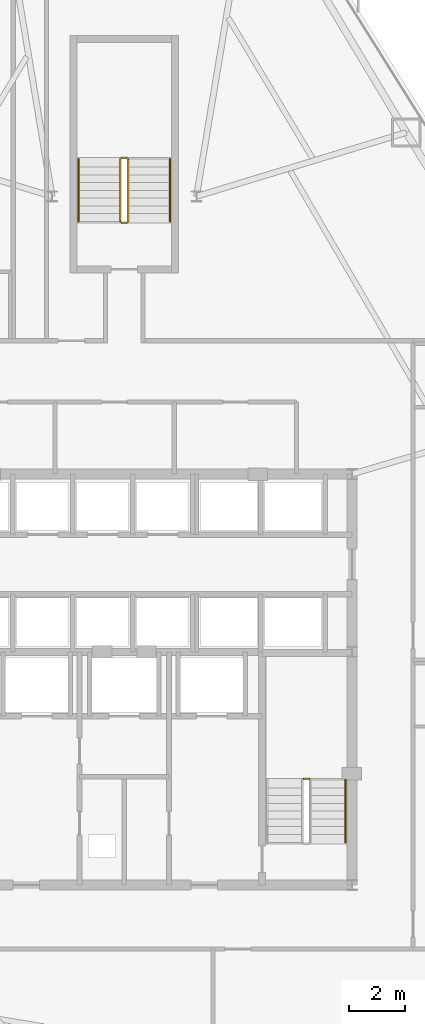
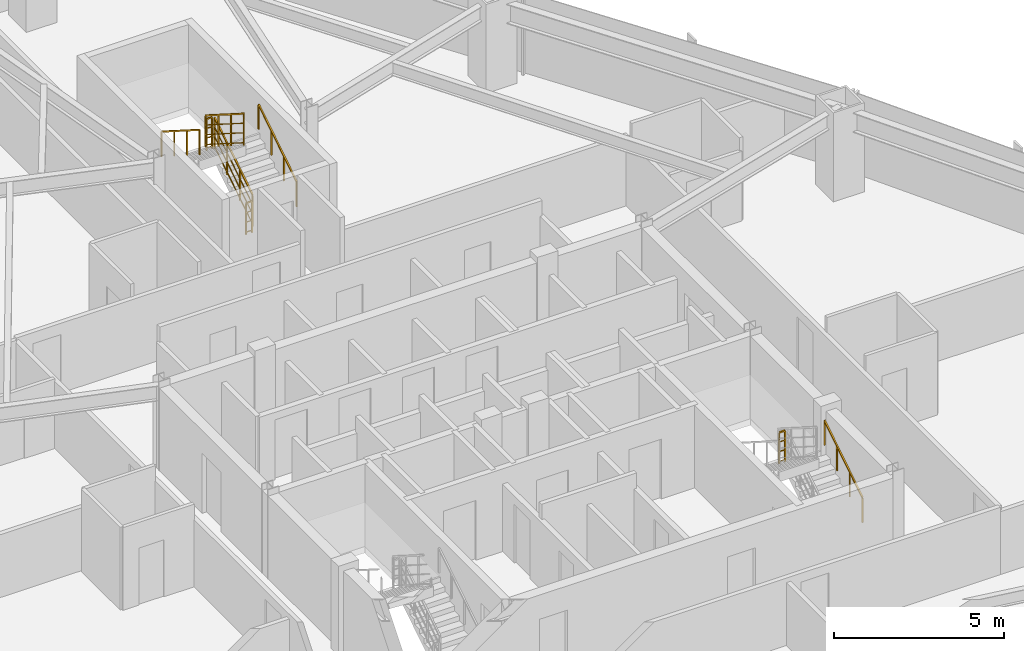
# One storey, part 13 of 13: 8 railings.
"""IFC4 building model written with IfcOpenShell, lengths in metres."""

from ifc_helpers import new_model, si_unit, direction, frame, origin, origin_2d, place, context, subcontext, project, spatial, rectangle, extrude, material, type_object, element, save


model = new_model("IFC4")

# Units and contexts
model_context = context("Model", 3, precision=1e-05, world=origin(), true_north=direction((0.0, 1.0)))
body_context = subcontext(model_context, "Body", "Model", "MODEL_VIEW")
ifc_project = project(units=[si_unit("LENGTHUNIT", "METRE"), si_unit("AREAUNIT", "SQUARE_METRE"), si_unit("VOLUMEUNIT", "CUBIC_METRE"), si_unit("PLANEANGLEUNIT", "RADIAN"), si_unit("MASSUNIT", "GRAM", prefix="KILO")], contexts=[model_context])

# Site, building, storey
site_placement = place(None, origin())
site = spatial("IfcSite", under=ifc_project, at=site_placement, CompositionType="ELEMENT")
building_placement = place(site_placement, origin())
building = spatial("IfcBuilding", under=site, at=building_placement, Name="Varakhsha Concourse Tower", CompositionType="ELEMENT")
storey_placement = place(building_placement, frame((0.0, 0.0, 92.60009765625)))
storey = spatial("IfcBuildingStorey", under=building, at=storey_placement, Name="L26", CompositionType="ELEMENT", Elevation=92.60009765625)

# Railings
ifc_material = material(Name="Brushed Austenitic Stainless Steel AISI 316", Category="steel")
railing_type_1 = type_object("IfcRailingType", Name="RL-STAIR-GUARD-1100", PredefinedType="GUARDRAIL", material=ifc_material)
railing_1_placement = place(storey_placement, frame((46.659912109375, 20.22998046875, 1.599853515625)))
element("IfcRailing", 1, at=railing_1_placement, inside=storey, type_object=railing_type_1, Name="L26 ST2 stair guard 2", PredefinedType="GUARDRAIL", context=body_context, shape_type="SweptSolid", body=[
    extrude(rectangle(XDim=0.048095703125, YDim=0.048095703125, at=origin_2d()), frame((0.0, 0.0, 1.1259765625), z_axis=(-1.0, 0.0, 0.0), x_axis=(0.0, -1.0, 0.0)), (0.0, 0.0, 1.0), 0.199951171875),
    extrude(rectangle(XDim=0.028076171875, YDim=0.028076171875, at=origin_2d()), frame((0.0, 0.0, 0.080078125), z_axis=(-1.0, 0.0, 0.0), x_axis=(0.0, -1.0, 0.0)), (0.0, 0.0, 1.0), 0.199951171875),
    extrude(rectangle(XDim=0.028076171875, YDim=0.028076171875, at=origin_2d()), frame((0.0, 0.0, 0.43701171875), z_axis=(-1.0, 0.0, 0.0), x_axis=(0.0, -1.0, 0.0)), (0.0, 0.0, 1.0), 0.199951171875),
    extrude(rectangle(XDim=0.028076171875, YDim=0.028076171875, at=origin_2d()), frame((0.0, 0.0, 0.781982421875), z_axis=(-1.0, 0.0, 0.0), x_axis=(0.0, -1.0, 0.0)), (0.0, 0.0, 1.0), 0.199951171875),
    extrude(rectangle(XDim=0.0419921875, YDim=0.0419921875, at=origin_2d()), origin(), (0.0, 0.0, 1.0), 1.101806640625),
    extrude(rectangle(XDim=0.0419921875, YDim=0.0419921875, at=origin_2d()), frame((-0.199951171875, 0.0, 0.0)), (0.0, 0.0, 1.0), 1.101806640625),
])
railing_2_placement = place(storey_placement, frame((40.14990234375, 40.300048828125, 0.177734375)))
element("IfcRailing", 2, at=railing_2_placement, inside=storey, type_object=railing_type_1, Name="L26 ST5 stair guard 1", PredefinedType="GUARDRAIL", context=body_context, shape_type="SweptSolid", body=[
    extrude(rectangle(XDim=0.048095703125, YDim=0.048095703125, at=origin_2d()), frame((0.0, 0.0, 1.1259765625), z_axis=(0.0, 0.8442293374, 0.53598211339), x_axis=(-1.0, 0.0, 0.0)), (0.0, 0.0, 1.0), 2.6533203125),
    extrude(rectangle(XDim=0.028076171875, YDim=0.028076171875, at=origin_2d()), frame((0.0, 0.0, 0.080078125), z_axis=(0.0, 0.8442293374, 0.53598211339), x_axis=(-1.0, 0.0, 0.0)), (0.0, 0.0, 1.0), 2.6533203125),
    extrude(rectangle(XDim=0.028076171875, YDim=0.028076171875, at=origin_2d()), frame((0.0, 0.0, 0.43701171875), z_axis=(0.0, 0.8442293374, 0.53598211339), x_axis=(-1.0, 0.0, 0.0)), (0.0, 0.0, 1.0), 2.6533203125),
    extrude(rectangle(XDim=0.028076171875, YDim=0.028076171875, at=origin_2d()), frame((0.0, 0.0, 0.781982421875), z_axis=(0.0, 0.8442293374, 0.53598211339), x_axis=(-1.0, 0.0, 0.0)), (0.0, 0.0, 1.0), 2.6533203125),
    extrude(rectangle(XDim=0.0419921875, YDim=0.0419921875, at=origin_2d()), origin(), (0.0, 0.0, 1.0), 1.101806640625),
    extrude(rectangle(XDim=0.0419921875, YDim=0.0419921875, at=origin_2d()), frame((0.0, 0.74658203125, 0.47412109375)), (0.0, 0.0, 1.0), 1.101806640625),
    extrude(rectangle(XDim=0.0419921875, YDim=0.0419921875, at=origin_2d()), frame((0.0, 1.493408203125, 0.947998046875)), (0.0, 0.0, 1.0), 1.101806640625),
    extrude(rectangle(XDim=0.0419921875, YDim=0.0419921875, at=origin_2d()), frame((0.0, 2.239990234375, 1.422119140625)), (0.0, 0.0, 1.0), 1.101806640625),
])
railing_3_placement = place(storey_placement, frame((40.10009765625, 42.590087890625, 1.599853515625)))
element("IfcRailing", 3, at=railing_3_placement, inside=storey, type_object=railing_type_1, Name="L26 ST5 stair guard 2", PredefinedType="GUARDRAIL", context=body_context, shape_type="SweptSolid", body=[
    extrude(rectangle(XDim=0.048095703125, YDim=0.048095703125, at=origin_2d()), frame((0.0, 0.0, 1.1259765625), z_axis=(-1.0, 0.0, 0.0), x_axis=(0.0, -1.0, 0.0)), (0.0, 0.0, 1.0), 0.2001953125),
    extrude(rectangle(XDim=0.028076171875, YDim=0.028076171875, at=origin_2d()), frame((0.0, 0.0, 0.080078125), z_axis=(-1.0, 0.0, 0.0), x_axis=(0.0, -1.0, 0.0)), (0.0, 0.0, 1.0), 0.2001953125),
    extrude(rectangle(XDim=0.028076171875, YDim=0.028076171875, at=origin_2d()), frame((0.0, 0.0, 0.43701171875), z_axis=(-1.0, 0.0, 0.0), x_axis=(0.0, -1.0, 0.0)), (0.0, 0.0, 1.0), 0.2001953125),
    extrude(rectangle(XDim=0.028076171875, YDim=0.028076171875, at=origin_2d()), frame((0.0, 0.0, 0.781982421875), z_axis=(-1.0, 0.0, 0.0), x_axis=(0.0, -1.0, 0.0)), (0.0, 0.0, 1.0), 0.2001953125),
    extrude(rectangle(XDim=0.0419921875, YDim=0.0419921875, at=origin_2d()), origin(), (0.0, 0.0, 1.0), 1.101806640625),
    extrude(rectangle(XDim=0.0419921875, YDim=0.0419921875, at=origin_2d()), frame((-0.2001953125, 0.0, 0.0)), (0.0, 0.0, 1.0), 1.101806640625),
])
railing_4_placement = place(storey_placement, frame((39.85009765625, 42.5400390625, 1.777587890625)))
element("IfcRailing", 4, at=railing_4_placement, inside=storey, type_object=railing_type_1, Name="L26 ST5 stair guard 3", PredefinedType="GUARDRAIL", context=body_context, shape_type="SweptSolid", body=[
    extrude(rectangle(XDim=0.048095703125, YDim=0.048095703125, at=origin_2d()), frame((0.0, 0.0, 1.1259765625), z_axis=(0.0, -0.84418770128, 0.536047689118), x_axis=(1.0, 0.0, 0.0)), (0.0, 0.0, 1.0), 2.6533203125),
    extrude(rectangle(XDim=0.028076171875, YDim=0.028076171875, at=origin_2d()), frame((0.0, 0.0, 0.080078125), z_axis=(0.0, -0.84418770128, 0.536047689118), x_axis=(1.0, 0.0, 0.0)), (0.0, 0.0, 1.0), 2.6533203125),
    extrude(rectangle(XDim=0.028076171875, YDim=0.028076171875, at=origin_2d()), frame((0.0, 0.0, 0.43701171875), z_axis=(0.0, -0.84418770128, 0.536047689118), x_axis=(1.0, 0.0, 0.0)), (0.0, 0.0, 1.0), 2.6533203125),
    extrude(rectangle(XDim=0.028076171875, YDim=0.028076171875, at=origin_2d()), frame((0.0, 0.0, 0.781982421875), z_axis=(0.0, -0.84418770128, 0.536047689118), x_axis=(1.0, 0.0, 0.0)), (0.0, 0.0, 1.0), 2.6533203125),
    extrude(rectangle(XDim=0.0419921875, YDim=0.0419921875, at=origin_2d()), origin(), (0.0, 0.0, 1.0), 1.101806640625),
    extrude(rectangle(XDim=0.0419921875, YDim=0.0419921875, at=origin_2d()), frame((0.0, -0.74658203125, 0.47412109375)), (0.0, 0.0, 1.0), 1.101806640625),
    extrude(rectangle(XDim=0.0419921875, YDim=0.0419921875, at=origin_2d()), frame((0.0, -1.493408203125, 0.9482421875)), (0.0, 0.0, 1.0), 1.101806640625),
    extrude(rectangle(XDim=0.0419921875, YDim=0.0419921875, at=origin_2d()), frame((0.0, -2.239990234375, 1.42236328125)), (0.0, 0.0, 1.0), 1.101806640625),
])
railing_5_placement = place(storey_placement, frame((40.10009765625, 40.25, 0.0)))
element("IfcRailing", 5, at=railing_5_placement, inside=storey, type_object=railing_type_1, Name="L26 ST5 stair guard 4", PredefinedType="GUARDRAIL", context=body_context, shape_type="SweptSolid", body=[
    extrude(rectangle(XDim=0.048095703125, YDim=0.048095703125, at=origin_2d()), frame((0.0, 0.0, 1.1259765625), z_axis=(-1.0, 0.0, 0.0), x_axis=(0.0, -1.0, 0.0)), (0.0, 0.0, 1.0), 0.2001953125),
    extrude(rectangle(XDim=0.028076171875, YDim=0.028076171875, at=origin_2d()), frame((0.0, 0.0, 0.080078125), z_axis=(-1.0, 0.0, 0.0), x_axis=(0.0, -1.0, 0.0)), (0.0, 0.0, 1.0), 0.2001953125),
    extrude(rectangle(XDim=0.028076171875, YDim=0.028076171875, at=origin_2d()), frame((0.0, 0.0, 0.43701171875), z_axis=(-1.0, 0.0, 0.0), x_axis=(0.0, -1.0, 0.0)), (0.0, 0.0, 1.0), 0.2001953125),
    extrude(rectangle(XDim=0.028076171875, YDim=0.028076171875, at=origin_2d()), frame((0.0, 0.0, 0.781982421875), z_axis=(-1.0, 0.0, 0.0), x_axis=(0.0, -1.0, 0.0)), (0.0, 0.0, 1.0), 0.2001953125),
    extrude(rectangle(XDim=0.0419921875, YDim=0.0419921875, at=origin_2d()), origin(), (0.0, 0.0, 1.0), 1.101806640625),
    extrude(rectangle(XDim=0.0419921875, YDim=0.0419921875, at=origin_2d()), frame((-0.2001953125, 0.0, 0.0)), (0.0, 0.0, 1.0), 1.101806640625),
])
railing_type_2 = type_object("IfcRailingType", Name="RL-STAIR-RAIL-915", PredefinedType="HANDRAIL", material=ifc_material)
for number, where, name in (
    (6, (47.969970703125, 17.93994140625, 0.35546875), "L26 ST2 stair handrail 1"),
    (7, (41.64990234375, 40.300048828125, 0.35546875), "L26 ST5 stair handrail 1"),
):
    element("IfcRailing", number, at=place(storey_placement, frame(where)), inside=storey, type_object=railing_type_2, Name=name, PredefinedType="HANDRAIL", context=body_context, shape_type="SweptSolid", body=[
        extrude(rectangle(XDim=0.048095703125, YDim=0.048095703125, at=origin_2d()), frame((0.0, 0.0, 0.89111328125), z_axis=(0.0, 0.8442293374, 0.53598211339), x_axis=(-1.0, 0.0, 0.0)), (0.0, 0.0, 1.0), 2.6533203125),
        extrude(rectangle(XDim=0.0419921875, YDim=0.0419921875, at=origin_2d()), origin(), (0.0, 0.0, 1.0), 0.866943359375),
        extrude(rectangle(XDim=0.0419921875, YDim=0.0419921875, at=origin_2d()), frame((0.0, 0.74658203125, 0.47412109375)), (0.0, 0.0, 1.0), 0.866943359375),
        extrude(rectangle(XDim=0.0419921875, YDim=0.0419921875, at=origin_2d()), frame((0.0, 1.493408203125, 0.947998046875)), (0.0, 0.0, 1.0), 0.866943359375),
        extrude(rectangle(XDim=0.0419921875, YDim=0.0419921875, at=origin_2d()), frame((0.0, 2.239990234375, 1.422119140625)), (0.0, 0.0, 1.0), 0.866943359375),
    ])
railing_6_placement = place(storey_placement, frame((38.35009765625, 42.5400390625, 1.95556640625)))
element("IfcRailing", 8, at=railing_6_placement, inside=storey, type_object=railing_type_2, Name="L26 ST5 stair handrail 2", PredefinedType="HANDRAIL", context=body_context, shape_type="SweptSolid", body=[
    extrude(rectangle(XDim=0.048095703125, YDim=0.048095703125, at=origin_2d()), frame((0.0, 0.0, 0.89111328125), z_axis=(0.0, -0.8442293374, 0.53598211339), x_axis=(1.0, 0.0, 0.0)), (0.0, 0.0, 1.0), 2.6533203125),
    extrude(rectangle(XDim=0.0419921875, YDim=0.0419921875, at=origin_2d()), origin(), (0.0, 0.0, 1.0), 0.866943359375),
    extrude(rectangle(XDim=0.0419921875, YDim=0.0419921875, at=origin_2d()), frame((0.0, -0.74658203125, 0.47412109375)), (0.0, 0.0, 1.0), 0.866943359375),
    extrude(rectangle(XDim=0.0419921875, YDim=0.0419921875, at=origin_2d()), frame((0.0, -1.493408203125, 0.947998046875)), (0.0, 0.0, 1.0), 0.866943359375),
    extrude(rectangle(XDim=0.0419921875, YDim=0.0419921875, at=origin_2d()), frame((0.0, -2.239990234375, 1.422119140625)), (0.0, 0.0, 1.0), 0.866943359375),
])

save(model, "model.ifc")
